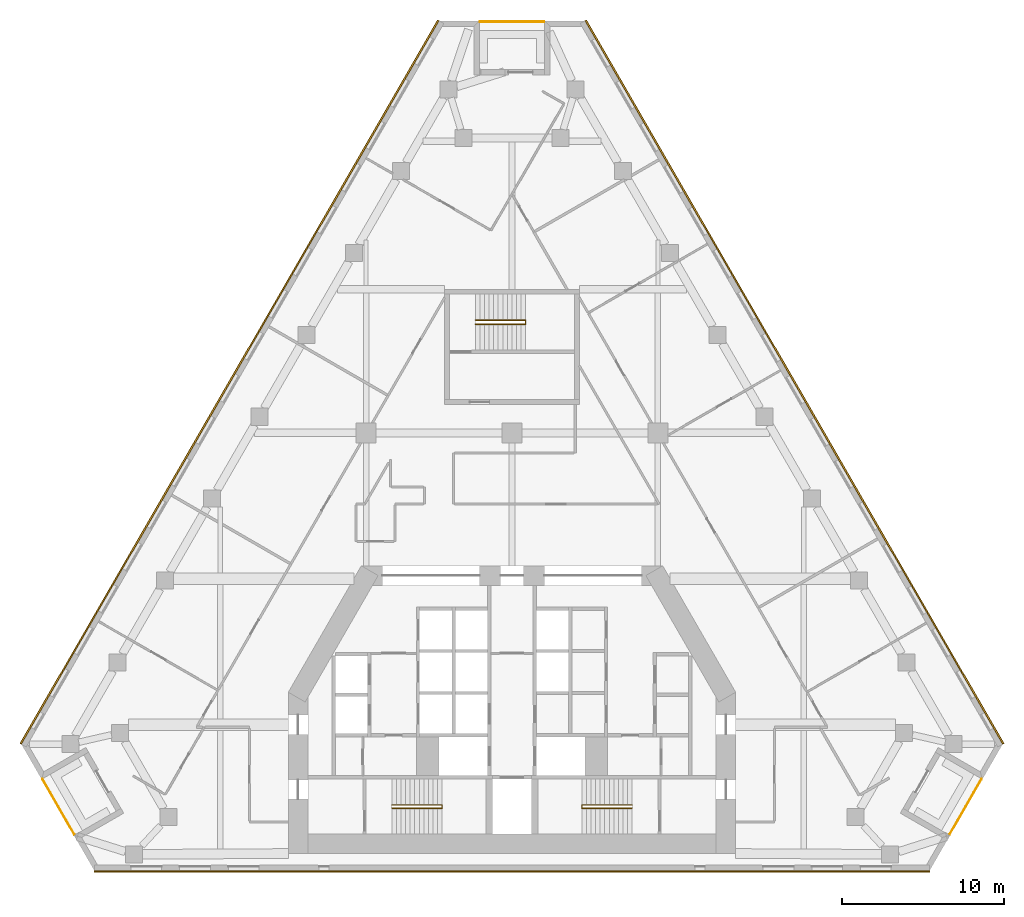
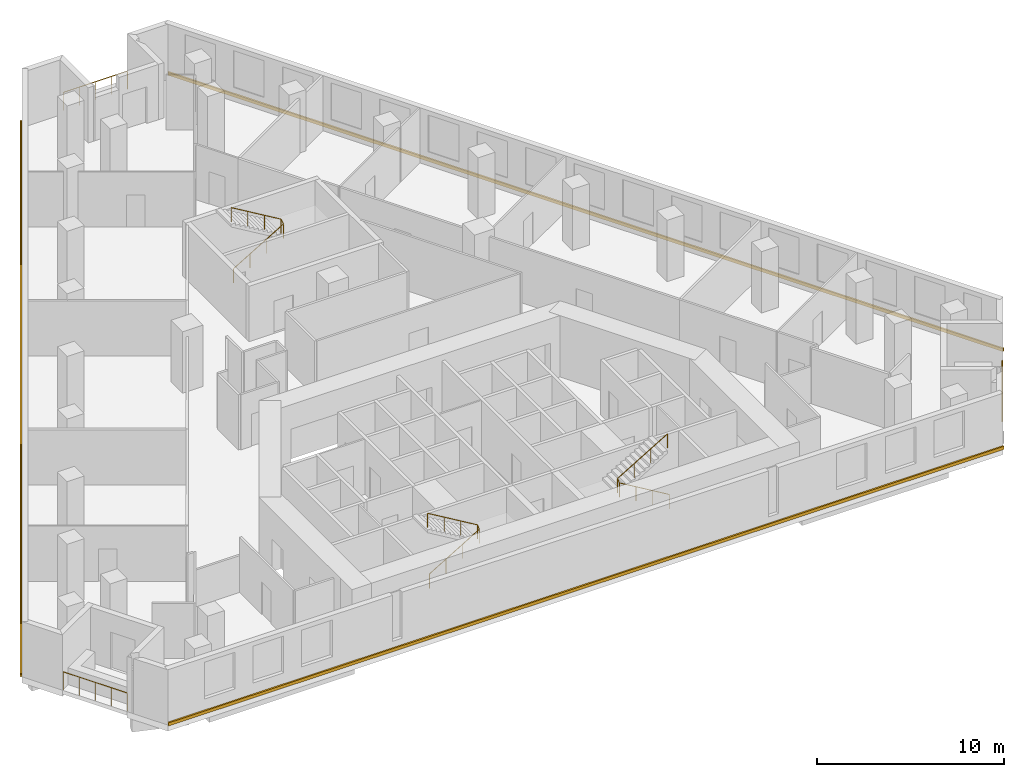
# One storey, part 10 of 10: 6 railings, 3 coverings.
"""IFC4 building model written with IfcOpenShell, lengths in metres."""

from ifc_helpers import new_model, si_unit, direction, frame, origin, origin_2d, place, context, subcontext, project, spatial, polyline, circle, outline, extrude, material, type_object, element, save


model = new_model("IFC4")

# Units and contexts
model_context = context("Model", 3, precision=1e-05, world=origin(), true_north=direction((0.0, 1.0)))
body_context = subcontext(model_context, "Body", "Model", "MODEL_VIEW")
ifc_project = project(units=[si_unit("LENGTHUNIT", "METRE"), si_unit("AREAUNIT", "SQUARE_METRE"), si_unit("VOLUMEUNIT", "CUBIC_METRE"), si_unit("PLANEANGLEUNIT", "RADIAN"), si_unit("MASSUNIT", "GRAM", prefix="KILO")], contexts=[model_context])

# Site, building, storey
site_placement = place(None, origin())
site = spatial("IfcSite", under=ifc_project, at=site_placement, CompositionType="ELEMENT")
building_placement = place(site_placement, origin())
building = spatial("IfcBuilding", under=site, at=building_placement, Name="Fogline Exchange Tower", CompositionType="ELEMENT")
storey_placement = place(building_placement, frame((0.0, 0.0, 112.10009765625)))
storey = spatial("IfcBuildingStorey", under=building, at=storey_placement, Name="L24", CompositionType="ELEMENT", Elevation=112.10009765625)

# Railings
ifc_material_1 = material(Name="Stainless steel 304", Category="steel")
railing_type_1 = type_object("IfcRailingType", Name="G1", PredefinedType="GUARDRAIL", material=ifc_material_1)
railing_1_placement = place(storey_placement, frame((-28.9619140625, 5.635986328125, 0.0)))
element("IfcRailing", 1, at=railing_1_placement, inside=storey, type_object=railing_type_1, Name="Balcony guard L24 SW", PredefinedType="GUARDRAIL", context=body_context, shape_type="SweptSolid", body=[
    extrude(circle(Radius=0.02392578125, at=origin_2d()), frame((0.0, 0.0, 1.17578125), z_axis=(0.500000102728, -0.866025344474, 0.0), x_axis=(0.866025344474, 0.500000102728, 0.0)), (0.0, 0.0, 1.0), 3.9580078125),
    extrude(circle(Radius=0.02099609375, at=origin_2d()), origin(), (0.0, 0.0, 1.0), 1.15185546875),
    extrude(circle(Radius=0.02099609375, at=origin_2d()), frame((0.49462890625, -0.85693359375, 0.0)), (0.0, 0.0, 1.0), 1.15185546875),
    extrude(circle(Radius=0.02099609375, at=origin_2d()), frame((0.989501953125, -1.7138671875, 0.0)), (0.0, 0.0, 1.0), 1.15185546875),
    extrude(circle(Radius=0.02099609375, at=origin_2d()), frame((1.484375, -2.57080078125, 0.0)), (0.0, 0.0, 1.0), 1.15185546875),
    extrude(circle(Radius=0.02099609375, at=origin_2d()), frame((1.97900390625, -3.427734375, 0.0)), (0.0, 0.0, 1.0), 1.15185546875),
])
railing_2_placement = place(storey_placement, frame((26.98291015625, 2.208251953125, 0.0)))
element("IfcRailing", 2, at=railing_2_placement, inside=storey, type_object=railing_type_1, Name="Balcony guard L24 SE", PredefinedType="GUARDRAIL", context=body_context, shape_type="SweptSolid", body=[
    extrude(circle(Radius=0.02392578125, at=origin_2d()), frame((0.0, 0.0, 1.17578125), z_axis=(0.500000102728, 0.866025344474, 0.0), x_axis=(-0.866025344474, 0.500000102728, 0.0)), (0.0, 0.0, 1.0), 3.9580078125),
    extrude(circle(Radius=0.02099609375, at=origin_2d()), origin(), (0.0, 0.0, 1.0), 1.15185546875),
    extrude(circle(Radius=0.02099609375, at=origin_2d()), frame((0.49462890625, 0.85693359375, 0.0)), (0.0, 0.0, 1.0), 1.15185546875),
    extrude(circle(Radius=0.02099609375, at=origin_2d()), frame((0.989501953125, 1.7138671875, 0.0)), (0.0, 0.0, 1.0), 1.15185546875),
    extrude(circle(Radius=0.02099609375, at=origin_2d()), frame((1.484375, 2.57080078125, 0.0)), (0.0, 0.0, 1.0), 1.15185546875),
    extrude(circle(Radius=0.02099609375, at=origin_2d()), frame((1.97900390625, 3.427734375, 0.0)), (0.0, 0.0, 1.0), 1.15185546875),
])
railing_3_placement = place(storey_placement, frame((1.97900390625, 52.37158203125, 0.0)))
element("IfcRailing", 3, at=railing_3_placement, inside=storey, type_object=railing_type_1, Name="Balcony guard L24 N", PredefinedType="GUARDRAIL", context=body_context, shape_type="SweptSolid", body=[
    extrude(circle(Radius=0.02392578125, at=origin_2d()), frame((0.0, 0.0, 1.17578125), z_axis=(-1.0, 0.0, 0.0), x_axis=(0.0, -1.0, 0.0)), (0.0, 0.0, 1.0), 3.9580078125),
    extrude(circle(Radius=0.02099609375, at=origin_2d()), origin(), (0.0, 0.0, 1.0), 1.15185546875),
    extrude(circle(Radius=0.02099609375, at=origin_2d()), frame((-0.989501953125, 0.0, 0.0)), (0.0, 0.0, 1.0), 1.15185546875),
    extrude(circle(Radius=0.02099609375, at=origin_2d()), frame((-1.97900390625, 0.0, 0.0)), (0.0, 0.0, 1.0), 1.15185546875),
    extrude(circle(Radius=0.02099609375, at=origin_2d()), frame((-2.968505859375, 0.0, 0.0)), (0.0, 0.0, 1.0), 1.15185546875),
    extrude(circle(Radius=0.02099609375, at=origin_2d()), frame((-3.9580078125, 0.0, 0.0)), (0.0, 0.0, 1.0), 1.15185546875),
])
ifc_material_2 = material(Name="Steel Q235B", Category="steel")
railing_type_2 = type_object("IfcRailingType", Name="RL-HR", PredefinedType="HANDRAIL", material=ifc_material_2)
railing_4_placement = place(storey_placement, frame((-7.39990234375, 3.85009765625, 0.16650390625)))
element("IfcRailing", 4, at=railing_4_placement, inside=storey, type_object=railing_type_2, Name="Handrail ST1", PredefinedType="HANDRAIL", context=body_context, shape_type="SweptSolid", body=[
    extrude(circle(Radius=0.02392578125, at=origin_2d()), frame((0.0, 0.0, 0.92578125), z_axis=(0.859260807169, 0.0, 0.511537745687), x_axis=(0.0, 1.0, 0.0)), (0.0, 0.0, 1.0), 3.584228515625),
    extrude(circle(Radius=0.02392578125, at=origin_2d()), frame((3.079833984375, 0.0, 2.75927734375), z_axis=(0.0, 0.768451954486, 0.639907488351), x_axis=(-1.0, 0.0, 0.0)), (0.0, 0.0, 1.0), 0.26025390625),
    extrude(circle(Radius=0.02392578125, at=origin_2d()), frame((3.079833984375, 0.199951171875, 2.92578125), z_axis=(-0.859260807169, 0.0, 0.511537745687), x_axis=(0.0, -1.0, 0.0)), (0.0, 0.0, 1.0), 3.584228515625),
    extrude(circle(Radius=0.02099609375, at=origin_2d()), origin(), (0.0, 0.0, 1.0), 0.90185546875),
    extrude(circle(Radius=0.02099609375, at=origin_2d()), frame((1.026611328125, 0.0, 0.611083984375)), (0.0, 0.0, 1.0), 0.90185546875),
    extrude(circle(Radius=0.02099609375, at=origin_2d()), frame((2.05322265625, 0.0, 1.222412109375)), (0.0, 0.0, 1.0), 0.90185546875),
    extrude(circle(Radius=0.02099609375, at=origin_2d()), frame((3.079833984375, 0.0, 1.83349609375)), (0.0, 0.0, 1.0), 0.90185546875),
    extrude(circle(Radius=0.02099609375, at=origin_2d()), frame((3.079833984375, 0.199951171875, 2.0)), (0.0, 0.0, 1.0), 0.90185546875),
    extrude(circle(Radius=0.02099609375, at=origin_2d()), frame((2.05322265625, 0.199951171875, 2.611083984375)), (0.0, 0.0, 1.0), 0.90185546875),
    extrude(circle(Radius=0.02099609375, at=origin_2d()), frame((1.026611328125, 0.199951171875, 3.222412109375)), (0.0, 0.0, 1.0), 0.90185546875),
    extrude(circle(Radius=0.02099609375, at=origin_2d()), frame((0.0, 0.199951171875, 3.83349609375)), (0.0, 0.0, 1.0), 0.90185546875),
])
railing_5_placement = place(storey_placement, frame((7.39990234375, 3.85009765625, 0.16650390625)))
element("IfcRailing", 5, at=railing_5_placement, inside=storey, type_object=railing_type_2, Name="Handrail ST2", PredefinedType="HANDRAIL", context=body_context, shape_type="SweptSolid", body=[
    extrude(circle(Radius=0.02392578125, at=origin_2d()), frame((0.0, 0.0, 0.92578125), z_axis=(-0.859260807169, 0.0, 0.511537745687), x_axis=(0.0, -1.0, 0.0)), (0.0, 0.0, 1.0), 3.584228515625),
    extrude(circle(Radius=0.02392578125, at=origin_2d()), frame((-3.079833984375, 0.0, 2.75927734375), z_axis=(0.0, 0.768451954486, 0.639907488351), x_axis=(-1.0, 0.0, 0.0)), (0.0, 0.0, 1.0), 0.26025390625),
    extrude(circle(Radius=0.02392578125, at=origin_2d()), frame((-3.079833984375, 0.199951171875, 2.92578125), z_axis=(0.859260807169, 0.0, 0.511537745687), x_axis=(0.0, 1.0, 0.0)), (0.0, 0.0, 1.0), 3.584228515625),
    extrude(circle(Radius=0.02099609375, at=origin_2d()), origin(), (0.0, 0.0, 1.0), 0.90185546875),
    extrude(circle(Radius=0.02099609375, at=origin_2d()), frame((-1.026611328125, 0.0, 0.611083984375)), (0.0, 0.0, 1.0), 0.90185546875),
    extrude(circle(Radius=0.02099609375, at=origin_2d()), frame((-2.05322265625, 0.0, 1.222412109375)), (0.0, 0.0, 1.0), 0.90185546875),
    extrude(circle(Radius=0.02099609375, at=origin_2d()), frame((-3.079833984375, 0.0, 1.83349609375)), (0.0, 0.0, 1.0), 0.90185546875),
    extrude(circle(Radius=0.02099609375, at=origin_2d()), frame((-3.079833984375, 0.199951171875, 2.0)), (0.0, 0.0, 1.0), 0.90185546875),
    extrude(circle(Radius=0.02099609375, at=origin_2d()), frame((-2.05322265625, 0.199951171875, 2.611083984375)), (0.0, 0.0, 1.0), 0.90185546875),
    extrude(circle(Radius=0.02099609375, at=origin_2d()), frame((-1.026611328125, 0.199951171875, 3.222412109375)), (0.0, 0.0, 1.0), 0.90185546875),
    extrude(circle(Radius=0.02099609375, at=origin_2d()), frame((0.0, 0.199951171875, 3.83349609375)), (0.0, 0.0, 1.0), 0.90185546875),
])
railing_6_placement = place(storey_placement, frame((-2.25, 33.70703125, 0.16650390625)))
element("IfcRailing", 6, at=railing_6_placement, inside=storey, type_object=railing_type_2, Name="Handrail ST3", PredefinedType="HANDRAIL", context=body_context, shape_type="SweptSolid", body=[
    extrude(circle(Radius=0.02392578125, at=origin_2d()), frame((0.0, 0.0, 0.92578125), z_axis=(0.85927862911, 0.0, 0.511507807912), x_axis=(0.0, 1.0, 0.0)), (0.0, 0.0, 1.0), 3.58447265625),
    extrude(circle(Radius=0.02392578125, at=origin_2d()), frame((3.080078125, 0.0, 2.75927734375), z_axis=(0.0, 0.832300300006, 0.554325004496), x_axis=(-1.0, 0.0, 0.0)), (0.0, 0.0, 1.0), 0.30029296875),
    extrude(circle(Radius=0.02392578125, at=origin_2d()), frame((3.080078125, 0.25, 2.92578125), z_axis=(-0.85927862911, 0.0, 0.511507807912), x_axis=(0.0, -1.0, 0.0)), (0.0, 0.0, 1.0), 3.58447265625),
    extrude(circle(Radius=0.02099609375, at=origin_2d()), origin(), (0.0, 0.0, 1.0), 0.90185546875),
    extrude(circle(Radius=0.02099609375, at=origin_2d()), frame((1.026611328125, 0.0, 0.611083984375)), (0.0, 0.0, 1.0), 0.90185546875),
    extrude(circle(Radius=0.02099609375, at=origin_2d()), frame((2.053466796875, 0.0, 1.222412109375)), (0.0, 0.0, 1.0), 0.90185546875),
    extrude(circle(Radius=0.02099609375, at=origin_2d()), frame((3.080078125, 0.0, 1.83349609375)), (0.0, 0.0, 1.0), 0.90185546875),
    extrude(circle(Radius=0.02099609375, at=origin_2d()), frame((3.080078125, 0.25, 2.0)), (0.0, 0.0, 1.0), 0.90185546875),
    extrude(circle(Radius=0.02099609375, at=origin_2d()), frame((2.053466796875, 0.25, 2.611083984375)), (0.0, 0.0, 1.0), 0.90185546875),
    extrude(circle(Radius=0.02099609375, at=origin_2d()), frame((1.026611328125, 0.25, 3.222412109375)), (0.0, 0.0, 1.0), 0.90185546875),
    extrude(circle(Radius=0.02099609375, at=origin_2d()), frame((0.0, 0.25, 3.83349609375)), (0.0, 0.0, 1.0), 0.90185546875),
])

# Coverings
ifc_material_3 = material(Name="Brick masonry", Category="masonry")
covering_type = type_object("IfcCoveringType", Name="SB1", PredefinedType="CLADDING", material=ifc_material_3)
covering_1_placement = place(storey_placement, origin())
element("IfcCovering", 7, at=covering_1_placement, inside=storey, type_object=covering_type, Name="Stringcourse band L24 S", PredefinedType="CLADDING", context=body_context, shape_type="SweptSolid", body=[
    extrude(outline(polyline([(-25.765625, 0.0), (-25.765625, -0.10009765625), (25.765625, -0.10009765625), (25.765625, 0.0), (-25.765625, 0.0)])), origin(), (0.0, 0.0, 1.0), 0.199951171875),
])
covering_2_placement = place(storey_placement, origin())
element("IfcCovering", 8, at=covering_2_placement, inside=storey, type_object=covering_type, Name="Stringcourse band L24 E", PredefinedType="CLADDING", context=body_context, shape_type="SweptSolid", body=[
    extrude(outline(polyline([(30.265625, 7.794189453125), (30.352294921875, 7.84423828125), (4.586669921875, 52.4716796875), (4.5, 52.421630859375), (30.265625, 7.794189453125)])), origin(), (0.0, 0.0, 1.0), 0.199951171875),
])
covering_3_placement = place(storey_placement, origin())
element("IfcCovering", 9, at=covering_3_placement, inside=storey, type_object=covering_type, Name="Stringcourse band L24 W", PredefinedType="CLADDING", context=body_context, shape_type="SweptSolid", body=[
    extrude(outline(polyline([(-4.5, 52.421630859375), (-4.586669921875, 52.4716796875), (-30.352294921875, 7.84423828125), (-30.265625, 7.794189453125), (-4.5, 52.421630859375)])), origin(), (0.0, 0.0, 1.0), 0.199951171875),
])

save(model, "model.ifc")
